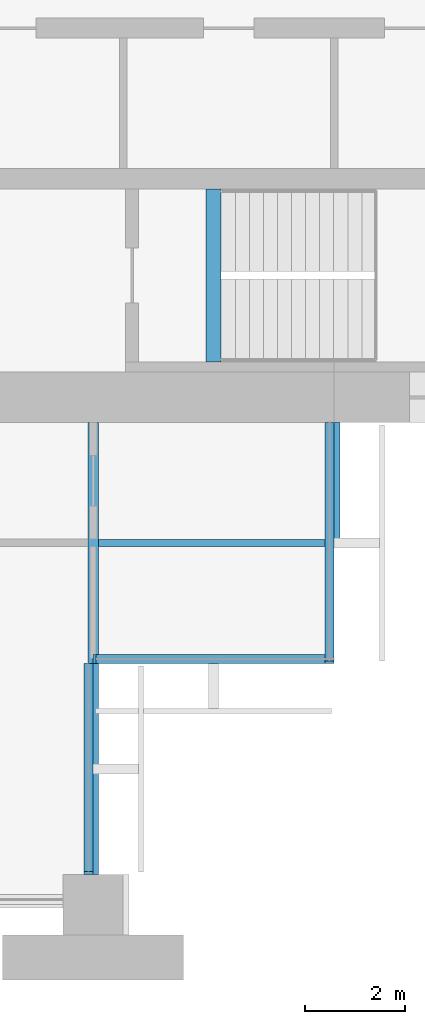
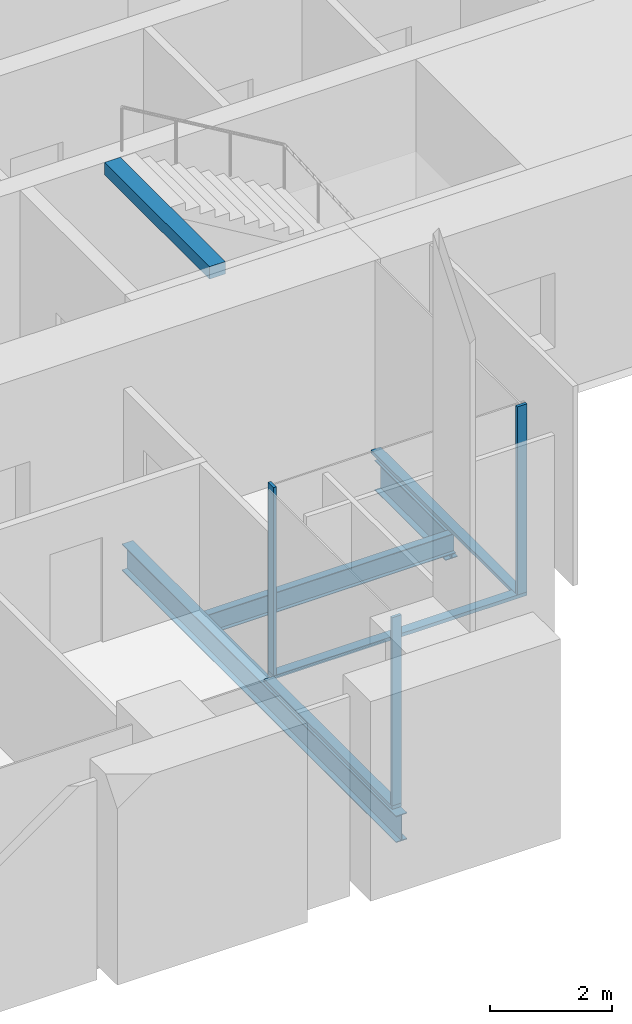
# One storey, part 4 of 14: 6 members, 4 beams, 3 elements without a shape of their own.
"""IFC4 building model written with IfcOpenShell, lengths in metres."""

from ifc_helpers import new_model, si_unit, direction, frame, origin, origin_2d, place, context, subcontext, project, spatial, rectangle, i_section, extrude, material, material_profile, profile_set, type_object, element, aggregate, save


model = new_model("IFC4")

# Units and contexts
model_context = context("Model", 3, precision=1e-05, world=origin(), true_north=direction((0.0, 1.0)))
body_context = subcontext(model_context, "Body", "Model", "MODEL_VIEW")
ifc_project = project(units=[si_unit("LENGTHUNIT", "METRE"), si_unit("AREAUNIT", "SQUARE_METRE"), si_unit("VOLUMEUNIT", "CUBIC_METRE"), si_unit("PLANEANGLEUNIT", "RADIAN"), si_unit("MASSUNIT", "GRAM", prefix="KILO")], contexts=[model_context])

# Site, building, storey
site_placement = place(None, origin())
site = spatial("IfcSite", under=ifc_project, at=site_placement, CompositionType="ELEMENT")
building_placement = place(site_placement, origin())
building = spatial("IfcBuilding", under=site, at=building_placement, Name="Baori Bourse Tower", CompositionType="ELEMENT")
storey_placement = place(building_placement, frame((0.0, 0.0, 144.10009765625)))
storey = spatial("IfcBuildingStorey", under=building, at=storey_placement, Name="L31", CompositionType="ELEMENT", Elevation=144.10009765625)

# Curtain wall, member
ifc_material_1 = material(Name="Pale anodised aluminium", Category="aluminium")
curtain_wall_type = type_object("IfcCurtainWallType", Name="CW2 Curtain wall", PredefinedType="NOTDEFINED", material=ifc_material_1)
curtain_wall_1_placement = place(storey_placement, origin())
curtain_wall_1 = element("IfcCurtainWall", 1, at=curtain_wall_1_placement, inside=storey, type_object=curtain_wall_type, Name="Curtain wall CW2 L31 12", PredefinedType="NOTDEFINED")
ifc_material_2 = material(Name="Pale anodised aluminium", Category="aluminium")
ifc_material_profile_1 = material_profile(ifc_material_2, rectangle(XDim=0.179931640625, YDim=0.054931640625, at=origin_2d()), Name="Mullion 55x180")
ifc_profile_set_1 = profile_set([ifc_material_profile_1], Name="Pale anodised aluminium")
member_type_1 = type_object("IfcMemberType", Name="CW2 Curtain wall mullion", PredefinedType="MULLION", material=ifc_profile_set_1)
member_1_placement = place(storey_placement, frame((43.110107421875, 0.62744140625, 0.06982421875), z_axis=(0.0, 0.0, 1.0), x_axis=(-1.0, 0.0, 0.0)))
member_1 = element("IfcMember", 2, at=member_1_placement, type_object=member_type_1, Name="Curtain wall CW2 mullion", PredefinedType="MULLION", context=body_context, shape_type="SweptSolid", body=[
    extrude(rectangle(XDim=0.179931640625, YDim=0.054931640625, at=origin_2d()), origin(), (0.0, 0.0, 1.0), 3.77001953125),
])

curtain_wall_2_placement = place(storey_placement, origin())
curtain_wall_2 = element("IfcCurtainWall", 3, at=curtain_wall_2_placement, inside=storey, type_object=curtain_wall_type, Name="Curtain wall CW2 L31 13", PredefinedType="NOTDEFINED")
member_2_placement = place(storey_placement, frame((43.2275390625, 4.889892578125, 0.06982421875), z_axis=(0.0, 0.0, 1.0), x_axis=(0.0, 1.0, 0.0)))
member_2 = element("IfcMember", 4, at=member_2_placement, type_object=member_type_1, Name="Curtain wall CW2 mullion", PredefinedType="MULLION", context=body_context, shape_type="SweptSolid", body=[
    extrude(rectangle(XDim=0.179931640625, YDim=0.054931640625, at=origin_2d()), origin(), (0.0, 0.0, 1.0), 3.77001953125),
])

curtain_wall_3_placement = place(storey_placement, origin())
curtain_wall_3 = element("IfcCurtainWall", 5, at=curtain_wall_3_placement, inside=storey, type_object=curtain_wall_type, Name="Curtain wall CW2 L31 14", PredefinedType="NOTDEFINED")
member_3_placement = place(storey_placement, frame((47.909912109375, 4.827392578125, 0.06982421875), z_axis=(0.0, 0.0, 1.0), x_axis=(-1.0, 0.0, 0.0)))
member_3 = element("IfcMember", 6, at=member_3_placement, type_object=member_type_1, Name="Curtain wall CW2 mullion", PredefinedType="MULLION", context=body_context, shape_type="SweptSolid", body=[
    extrude(rectangle(XDim=0.179931640625, YDim=0.054931640625, at=origin_2d()), origin(), (0.0, 0.0, 1.0), 3.77001953125),
])

# Member
ifc_material_3 = material(Name="Pale anodised aluminium", Category="aluminium")
ifc_material_profile_2 = material_profile(ifc_material_3, rectangle(XDim=0.179931640625, YDim=0.070068359375, at=origin_2d()), Name="Transom 70x180")
ifc_profile_set_2 = profile_set([ifc_material_profile_2], Name="Pale anodised aluminium")
member_type_2 = type_object("IfcMemberType", Name="CW2 Curtain wall transom", PredefinedType="USERDEFINED", material=ifc_profile_set_2)
member_4_placement = place(storey_placement, frame((43.110107421875, 0.60009765625, 0.034912109375), z_axis=(0.0, 1.0, 0.0), x_axis=(-1.0, 0.0, 0.0)))
member_4 = element("IfcMember", 7, at=member_4_placement, type_object=member_type_2, Name="Curtain wall CW2 sill rail", ObjectType="TRANSOM", PredefinedType="USERDEFINED", context=body_context, shape_type="SweptSolid", body=[
    extrude(rectangle(XDim=0.179931640625, YDim=0.070068359375, at=origin_2d()), origin(), (0.0, 0.0, 1.0), 4.199951171875),
])

aggregate(curtain_wall_1, [member_4, member_1])

member_5_placement = place(storey_placement, frame((43.199951171875, 4.889892578125, 0.034912109375), z_axis=(1.0, 0.0, 0.0), x_axis=(0.0, 1.0, 0.0)))
member_5 = element("IfcMember", 8, at=member_5_placement, type_object=member_type_2, Name="Curtain wall CW2 sill rail", ObjectType="TRANSOM", PredefinedType="USERDEFINED", context=body_context, shape_type="SweptSolid", body=[
    extrude(rectangle(XDim=0.179931640625, YDim=0.070068359375, at=origin_2d()), origin(), (0.0, 0.0, 1.0), 4.800048828125),
])

aggregate(curtain_wall_2, [member_5, member_2])

member_6_placement = place(storey_placement, frame((47.909912109375, 4.800048828125, 0.034912109375), z_axis=(0.0, 1.0, 0.0), x_axis=(-1.0, 0.0, 0.0)))
member_6 = element("IfcMember", 9, at=member_6_placement, type_object=member_type_2, Name="Curtain wall CW2 sill rail", ObjectType="TRANSOM", PredefinedType="USERDEFINED", context=body_context, shape_type="SweptSolid", body=[
    extrude(rectangle(XDim=0.179931640625, YDim=0.070068359375, at=origin_2d()), origin(), (0.0, 0.0, 1.0), 4.800048828125),
])

aggregate(curtain_wall_3, [member_6, member_3])

# Beams
ifc_material_4 = material(Name="Steel A992 Gr 50", Category="steel")
ifc_material_profile_3 = material_profile(ifc_material_4, i_section(OverallWidth=0.227783203125, OverallDepth=0.60205078125, WebThickness=0.010498046875, FlangeThickness=0.014892578125, at=origin_2d()), Name="W24x68")
ifc_profile_set_3 = profile_set([ifc_material_profile_3], Name="Steel A992 Gr 50")
beam_type_1 = type_object("IfcBeamType", Name="Core bracket W24x68", PredefinedType="BEAM", material=ifc_profile_set_3)
beam_1_placement = place(storey_placement, frame((48.0, 7.270263671875, -0.461181640625), z_axis=(0.0, 1.0, 0.0), x_axis=(-1.0, 0.0, 0.0)))
element("IfcBeam", 10, at=beam_1_placement, inside=storey, type_object=beam_type_1, Name="Core bracket L31", PredefinedType="BEAM", context=body_context, shape_type="SweptSolid", body=[
    extrude(i_section(OverallWidth=0.227783203125, OverallDepth=0.60205078125, WebThickness=0.010498046875, FlangeThickness=0.014892578125, at=origin_2d()), origin(), (0.0, 0.0, 1.0), 2.329833984375),
])
ifc_material_5 = material(Name="Steel A992 Gr 50", Category="steel")
ifc_material_profile_4 = material_profile(ifc_material_5, i_section(OverallWidth=0.209228515625, OverallDepth=0.533447265625, WebThickness=0.01025390625, FlangeThickness=0.015625, at=origin_2d()), Name="W21x62")
ifc_profile_set_4 = profile_set([ifc_material_profile_4], Name="Steel A992 Gr 50")
beam_type_2 = type_object("IfcBeamType", Name="Floor beam W21x62", PredefinedType="BEAM", material=ifc_profile_set_4)
beam_2_placement = place(storey_placement, frame((43.199951171875, 0.60009765625, -0.4267578125), z_axis=(0.0, 1.0, 0.0), x_axis=(-1.0, 0.0, 0.0)))
element("IfcBeam", 11, at=beam_2_placement, inside=storey, type_object=beam_type_2, Name="Floor beam L31", PredefinedType="BEAM", context=body_context, shape_type="SweptSolid", body=[
    extrude(i_section(OverallWidth=0.209228515625, OverallDepth=0.533447265625, WebThickness=0.01025390625, FlangeThickness=0.015625, at=origin_2d()), origin(), (0.0, 0.0, 1.0), 9.0),
])
ifc_material_6 = material(Name="Concrete f'c 50 MPa", Category="concrete")
ifc_material_profile_5 = material_profile(ifc_material_6, rectangle(XDim=0.300048828125, YDim=0.25, at=origin_2d()), Name="RC 300x250")
ifc_profile_set_5 = profile_set([ifc_material_profile_5], Name="Concrete f'c 50 MPa")
beam_type_3 = type_object("IfcBeamType", Name="Stair nib beam RC 300x250", PredefinedType="BEAM", material=ifc_profile_set_5)
beam_3_placement = place(storey_placement, frame((45.60009765625, 10.800048828125, 3.71484375), z_axis=(0.0, 1.0, 0.0), x_axis=(-1.0, 0.0, 0.0)))
element("IfcBeam", 12, at=beam_3_placement, inside=storey, type_object=beam_type_3, Name="Stair EA nib beam L32", PredefinedType="BEAM", context=body_context, shape_type="SweptSolid", body=[
    extrude(rectangle(XDim=0.300048828125, YDim=0.25, at=origin_2d()), origin(), (0.0, 0.0, 1.0), 3.449951171875),
])
ifc_material_7 = material(Name="Steel A992 Gr 50", Category="steel")
ifc_material_profile_6 = material_profile(ifc_material_7, i_section(OverallWidth=0.140380859375, OverallDepth=0.40380859375, WebThickness=0.007080078125, FlangeThickness=0.01123046875, at=origin_2d()), Name="W16x31")
ifc_profile_set_6 = profile_set([ifc_material_profile_6], Name="Steel A992 Gr 50")
beam_type_4 = type_object("IfcBeamType", Name="Trimmer beam W16x31", PredefinedType="BEAM", material=ifc_profile_set_6)
beam_4_placement = place(storey_placement, frame((43.3046875, 7.199951171875, -0.362060546875), z_axis=(1.0, 0.0, 0.0), x_axis=(0.0, 1.0, 0.0)))
element("IfcBeam", 13, at=beam_4_placement, inside=storey, type_object=beam_type_4, Name="Trimmer beam L31", PredefinedType="BEAM", context=body_context, shape_type="SweptSolid", body=[
    extrude(i_section(OverallWidth=0.140380859375, OverallDepth=0.40380859375, WebThickness=0.007080078125, FlangeThickness=0.01123046875, at=origin_2d()), origin(), (0.0, 0.0, 1.0), 4.6953125),
])

save(model, "model.ifc")
